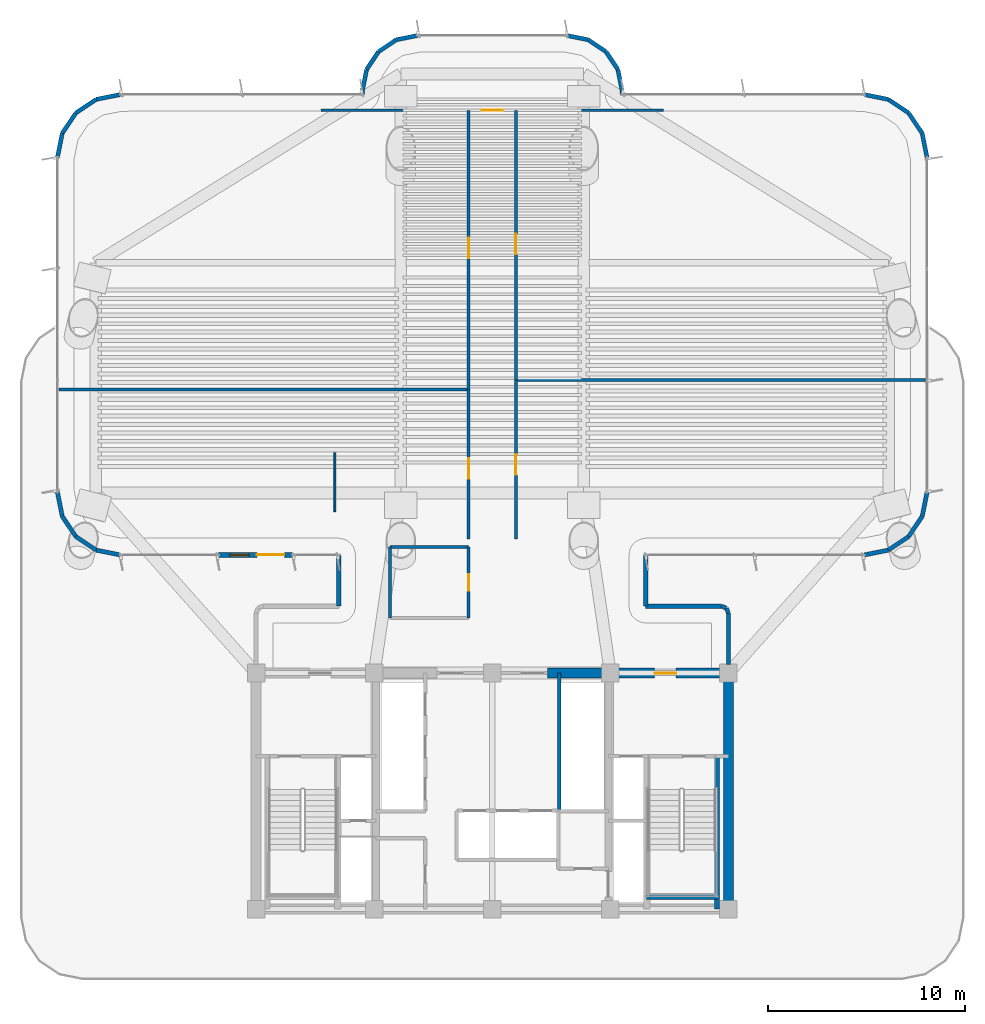
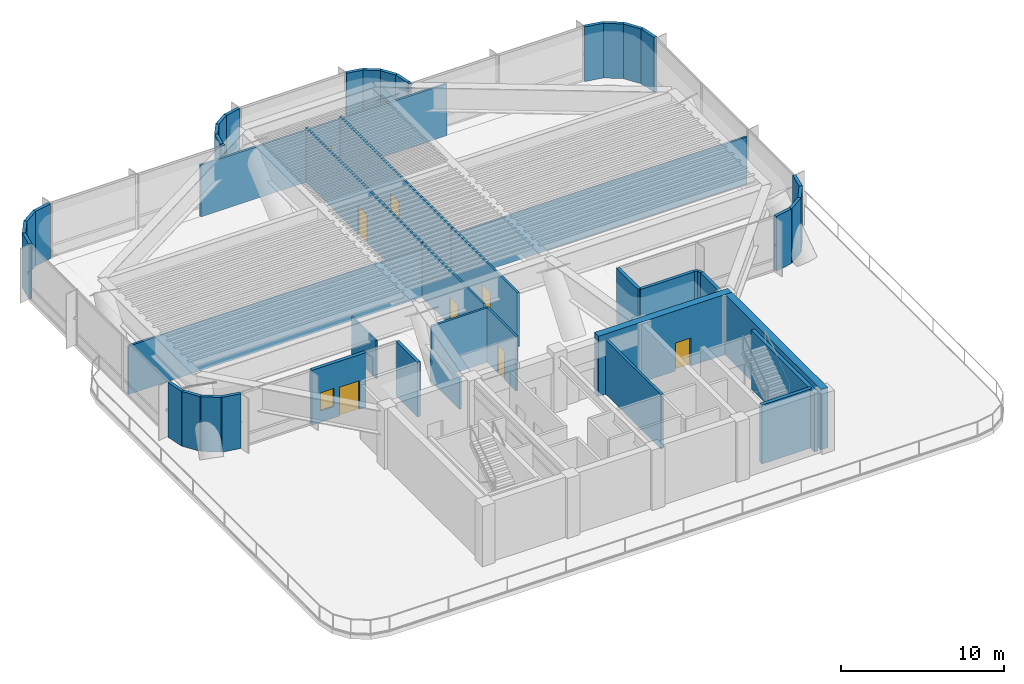
# One storey, part 9 of 14: 49 walls, 8 doors, 1 window, 9 openings.
"""IFC4 building model written with IfcOpenShell, lengths in metres."""

from ifc_helpers import new_model, si_unit, direction, frame, frame_2d, origin, origin_2d, place, context, subcontext, project, spatial, rectangle, extrude, source, transform, mapped, material, layer, layer_set, type_object, element, fill, save


model = new_model("IFC4")

# Units and contexts
model_context = context("Model", 3, precision=1e-05, world=origin(), true_north=direction((0.0, 1.0)))
body_context = subcontext(model_context, "Body", "Model", "MODEL_VIEW")
ifc_project = project(units=[si_unit("LENGTHUNIT", "METRE"), si_unit("AREAUNIT", "SQUARE_METRE"), si_unit("VOLUMEUNIT", "CUBIC_METRE"), si_unit("PLANEANGLEUNIT", "RADIAN"), si_unit("MASSUNIT", "GRAM", prefix="KILO")], contexts=[model_context])

# Site, building, storey
site_placement = place(None, origin())
site = spatial("IfcSite", under=ifc_project, at=site_placement, CompositionType="ELEMENT")
building_placement = place(site_placement, origin())
building = spatial("IfcBuilding", under=site, at=building_placement, Name="Brelvock Crest Care Tower", CompositionType="ELEMENT")
storey_placement = place(building_placement, frame((0.0, 0.0, 85.320068359375)))
storey = spatial("IfcBuildingStorey", under=building, at=storey_placement, Name="L21", CompositionType="ELEMENT", Elevation=85.320068359375)

# Wall
ifc_material_1 = material(Name="Concrete S80 (80 MPa)", Category="concrete")
ifc_layer_1 = layer(ifc_material_1, 0.5, Name="WL-CS2")
ifc_layer_set_1 = layer_set([ifc_layer_1], Name="Concrete S80 (80 MPa)")
wall_type_1 = type_object("IfcWallType", Name="WL-CS2", PredefinedType="SHEAR", material=ifc_layer_set_1)
wall_1_placement = place(storey_placement, frame((48.0, 18.0, 0.0), z_axis=(0.0, 0.0, 1.0), x_axis=(0.0, -1.0, 0.0)))
element("IfcWall", 1, at=wall_1_placement, inside=storey, type_object=wall_type_1, Name="L21 Core East Shear Wall", PredefinedType="SHEAR", context=body_context, shape_type="SweptSolid", body=[
    extrude(rectangle(XDim=12.0, YDim=0.5, at=frame_2d((6.0, 0.0))), origin(), (0.0, 0.0, 1.0), 4.5),
])

# Wall, opening, door
wall_2_placement = place(storey_placement, frame((38.800048828125, 18.0, 0.0), z_axis=(0.0, 0.0, 1.0), x_axis=(1.0, 0.0, 0.0)))
wall_2 = element("IfcWall", 2, at=wall_2_placement, inside=storey, type_object=wall_type_1, Name="L21 Core North-East Shear Wall", PredefinedType="SHEAR", context=body_context, shape_type="SweptSolid", body=[
    extrude(rectangle(XDim=9.449951171875, YDim=0.5, at=frame_2d((4.72509765625, 0.0))), origin(), (0.0, 0.0, 1.0), 4.5),
])
opening_1_placement = place(wall_2_placement, frame((5.449951171875, 0.0, 0.0)))
opening_1 = element("IfcOpeningElement", 3, at=opening_1_placement, cuts=wall_2, Name="Opening FD-1", PredefinedType="OPENING", context=body_context, shape_type="SweptSolid", body=[
    extrude(rectangle(XDim=1.10009765625, YDim=2.10009765625, at=origin_2d()), frame((0.550048828125, 0.260009765625, 1.050048828125), z_axis=(0.0, -1.0, 0.0), x_axis=(1.0, 0.0, 0.0)), (0.0, 0.0, 1.0), 0.52001953125),
])
ifc_material_2 = material(Name="Steel Grade 350", Category="steel")
door_type_1 = type_object("IfcDoorType", Name="DR-FFL1", OperationType="NOTDEFINED", PredefinedType="DOOR", material=ifc_material_2)
shared_shape_1 = source(origin(), body_context, "Body", "SweptSolid", [
    extrude(rectangle(XDim=1.10009765625, YDim=2.10009765625, at=origin_2d()), frame((0.550048828125, 0.02490234375, 1.050048828125), z_axis=(0.0, -1.0, 0.0), x_axis=(1.0, 0.0, 0.0)), (0.0, 0.0, 1.0), 0.050048828125),
])
door_1_placement = place(opening_1_placement, origin())
door_1 = element("IfcDoor", 4, at=door_1_placement, inside=storey, type_object=door_type_1, Name="L21 Firefighting Lobby FFL-2 Exit Door", OperationType="SINGLE_SWING_RIGHT", OverallHeight=2.10009765625, OverallWidth=1.10009765625, PredefinedType="DOOR", context=body_context, shape_type="MappedRepresentation", body=[
    mapped(shared_shape_1, transform((0.0, 0.0, 0.0), x_axis=(1.0, 0.0, 0.0), y_axis=(0.0, 1.0, 0.0), z_axis=(0.0, 0.0, 1.0), scale=1.0)),
])
fill(opening_1, door_1)

# Walls
ifc_layer_2 = layer(ifc_material_1, 0.25, Name="WL-CS6")
ifc_layer_set_2 = layer_set([ifc_layer_2], Name="Concrete S80 (80 MPa)")
wall_type_2 = type_object("IfcWallType", Name="WL-CS6", PredefinedType="SHEAR", material=ifc_layer_set_2)
wall_3_placement = place(storey_placement, frame((47.419921875, 6.0, 0.0), z_axis=(0.0, 0.0, 1.0), x_axis=(0.0, 1.0, 0.0)))
element("IfcWall", 5, at=wall_3_placement, inside=storey, type_object=wall_type_2, Name="L21 Core Stair ST-2 East Shear Wall", PredefinedType="SHEAR", context=body_context, shape_type="SweptSolid", body=[
    extrude(rectangle(XDim=7.780029296875, YDim=0.25, at=frame_2d((3.89013671875, 0.0))), origin(), (0.0, 0.0, 1.0), 4.411865234375),
])
wall_4_placement = place(storey_placement, frame((43.85009765625, 6.6201171875, 0.0), z_axis=(0.0, 0.0, 1.0), x_axis=(1.0, 0.0, 0.0)))
element("IfcWall", 6, at=wall_4_placement, inside=storey, type_object=wall_type_2, Name="L21 Core Stair ST-2 South Shear Wall", PredefinedType="SHEAR", context=body_context, shape_type="SweptSolid", body=[
    extrude(rectangle(XDim=3.56982421875, YDim=0.25, at=frame_2d((1.784912109375, 0.0))), origin(), (0.0, 0.0, 1.0), 4.411865234375),
])

# Wall, openings, door, window
ifc_material_3 = material(Name="Precast concrete N40 (40 MPa)", Category="concrete")
ifc_layer_3 = layer(ifc_material_3, 0.239990234375, Name="WL-EX1")
ifc_layer_set_3 = layer_set([ifc_layer_3], Name="Precast concrete N40 (40 MPa)")
wall_type_3 = type_object("IfcWallType", Name="WL-EX1", PredefinedType="SOLIDWALL", material=ifc_layer_set_3)
wall_5_placement = place(storey_placement, frame((25.882080078125, 24.0, 0.0), z_axis=(0.0, 0.0, 1.0), x_axis=(-1.0, 0.0, 0.0)))
wall_5 = element("IfcWall", 7, at=wall_5_placement, inside=storey, type_object=wall_type_3, Name="L21 Exterior Spandrel Wall WL-TER-L21-12", PredefinedType="SOLIDWALL", context=body_context, shape_type="SweptSolid", body=[
    extrude(rectangle(XDim=3.800048828125, YDim=0.239990234375, at=frame_2d((1.89990234375, 0.0))), origin(), (0.0, 0.0, 1.0), 4.092041015625),
])
opening_2_placement = place(wall_5_placement, frame((0.449951171875, 0.0, 0.0)))
opening_2 = element("IfcOpeningElement", 8, at=opening_2_placement, cuts=wall_5, Name="Opening TD-1", PredefinedType="OPENING", context=body_context, shape_type="SweptSolid", body=[
    extrude(rectangle(XDim=1.39990234375, YDim=2.14990234375, at=origin_2d()), frame((0.699951171875, 0.1298828125, 1.074951171875), z_axis=(0.0, -1.0, 0.0), x_axis=(1.0, 0.0, 0.0)), (0.0, 0.0, 1.0), 0.260009765625),
])
opening_3_placement = place(wall_5_placement, frame((2.25, 0.0, 0.85009765625)))
opening_3 = element("IfcOpeningElement", 9, at=opening_3_placement, cuts=wall_5, Name="Opening W-03", PredefinedType="OPENING", context=body_context, shape_type="SweptSolid", body=[
    extrude(rectangle(XDim=0.949951171875, YDim=1.35009765625, at=origin_2d()), frame((0.47509765625, 0.1298828125, 0.675048828125), z_axis=(0.0, -1.0, 0.0), x_axis=(1.0, 0.0, 0.0)), (0.0, 0.0, 1.0), 0.260009765625),
])
ifc_material_4 = material(Name="Dark Glass Double Glazed Low-E", Category="glass")
door_type_2 = type_object("IfcDoorType", Name="DR-TER1", OperationType="NOTDEFINED", PredefinedType="DOOR", material=ifc_material_4)
shared_shape_2 = source(origin(), body_context, "Body", "SweptSolid", [
    extrude(rectangle(XDim=1.39990234375, YDim=2.14990234375, at=origin_2d()), frame((0.699951171875, 0.02490234375, 1.074951171875), z_axis=(0.0, -1.0, 0.0), x_axis=(1.0, 0.0, 0.0)), (0.0, 0.0, 1.0), 0.050048828125),
])
door_2_placement = place(opening_2_placement, origin())
door_2 = element("IfcDoor", 10, at=door_2_placement, inside=storey, type_object=door_type_2, Name="L21 Setback Terrace Glazed Door", OperationType="SINGLE_SWING_LEFT", OverallHeight=2.14990234375, OverallWidth=1.39990234375, PredefinedType="DOOR", context=body_context, shape_type="MappedRepresentation", body=[
    mapped(shared_shape_2, transform((0.0, 0.0, 0.0), x_axis=(1.0, 0.0, 0.0), y_axis=(0.0, 1.0, 0.0), z_axis=(0.0, 0.0, 1.0), scale=1.0)),
])
fill(opening_2, door_2)
window_type = type_object("IfcWindowType", Name="WN-EX3", PartitioningType="SINGLE_PANEL", PredefinedType="WINDOW", material=ifc_material_4)
shared_shape_3 = source(origin(), body_context, "Body", "SweptSolid", [
    extrude(rectangle(XDim=0.949951171875, YDim=1.35009765625, at=origin_2d()), frame((0.47509765625, 0.030029296875, 0.675048828125), z_axis=(0.0, -1.0, 0.0), x_axis=(1.0, 0.0, 0.0)), (0.0, 0.0, 1.0), 0.06005859375),
])
window_placement = place(opening_3_placement, origin())
window = element("IfcWindow", 11, at=window_placement, inside=storey, type_object=window_type, Name="L21 Terrace Side Window", OverallHeight=1.35009765625, OverallWidth=0.949951171875, PartitioningType="SINGLE_PANEL", PredefinedType="WINDOW", context=body_context, shape_type="MappedRepresentation", body=[
    mapped(shared_shape_3, transform((0.0, 0.0, 0.0), x_axis=(1.0, 0.0, 0.0), y_axis=(0.0, 1.0, 0.0), z_axis=(0.0, 0.0, 1.0), scale=1.0)),
])
fill(opening_3, window)

# Walls
ifc_layer_4 = layer(ifc_material_3, 0.215087890625, Name="WL-EX2")
ifc_layer_set_4 = layer_set([ifc_layer_4], Name="Precast concrete N40 (40 MPa)")
wall_type_4 = type_object("IfcWallType", Name="WL-EX2", PredefinedType="SOLIDWALL", material=ifc_layer_set_4)
wall_6_placement = place(storey_placement, frame((47.8974609375, 21.297607421875, 0.0), z_axis=(0.0, 0.0, 1.0), x_axis=(0.382673670509, -0.923883575944, 0.0)))
element("IfcWall", 12, at=wall_6_placement, inside=storey, type_object=wall_type_4, Name="L21 Rounded Corner Wall 00", PredefinedType="SOLIDWALL", context=body_context, shape_type="SweptSolid", body=[
    extrude(rectangle(XDim=0.26806640625, YDim=0.215087890625, at=frame_2d((0.134033203125, 0.0))), origin(), (0.0, 0.0, 1.0), 4.092041015625),
])
wall_7_placement = place(storey_placement, frame((48.0, 21.050048828125, 0.0), z_axis=(0.0, 0.0, 1.0), x_axis=(0.0, -1.0, 0.0)))
element("IfcWall", 13, at=wall_7_placement, inside=storey, type_object=wall_type_4, Name="L21 Rounded Corner Wall 01", PredefinedType="SOLIDWALL", context=body_context, shape_type="SweptSolid", body=[
    extrude(rectangle(XDim=2.6201171875, YDim=0.215087890625, at=frame_2d((1.31005859375, 0.0))), origin(), (0.0, 0.0, 1.0), 4.092041015625),
])
wall_8_placement = place(storey_placement, frame((28.199951171875, 21.39990234375, 0.0), z_axis=(0.0, 0.0, 1.0), x_axis=(0.0, 1.0, 0.0)))
element("IfcWall", 14, at=wall_8_placement, inside=storey, type_object=wall_type_4, Name="L21 Rounded Corner Wall 11", PredefinedType="SOLIDWALL", context=body_context, shape_type="SweptSolid", body=[
    extrude(rectangle(XDim=2.60009765625, YDim=0.215087890625, at=frame_2d((1.300048828125, 0.0))), origin(), (0.0, 0.0, 1.0), 4.092041015625),
])
for number, where, z_axis, x_axis, name in (
    (15, (17.10009765625, 24.0, 0.0), (0.0, 0.0, 1.0), (-0.980775717779, 0.195138390419, 0.0), "L21 Rounded Corner Wall 13"),
    (16, (15.87548828125, 24.24365234375, 0.0), (0.0, 0.0, 1.0), (-0.831478245117, 0.555557312883, 0.0), "L21 Rounded Corner Wall 14"),
    (17, (14.83740234375, 24.937255859375, 0.0), (0.0, 0.0, 1.0), (-0.555692485475, 0.831387912822, 0.0), "L21 Rounded Corner Wall 15"),
    (18, (14.1435546875, 25.975341796875, 0.0), (0.0, 0.0, 1.0), (-0.195138390419, 0.980775717779, 0.0), "L21 Rounded Corner Wall 16"),
    (19, (13.89990234375, 44.199951171875, 0.0), (0.0, 0.0, 1.0), (0.195138390419, 0.980775717779, 0.0), "L21 Rounded Corner Wall 18"),
    (20, (14.1435546875, 45.424560546875, 0.0), (0.0, 0.0, 1.0), (0.555692485475, 0.831387912822, 0.0), "L21 Rounded Corner Wall 19"),
    (21, (14.83740234375, 46.462646484375, 0.0), (0.0, 0.0, 1.0), (0.831387912822, 0.555692485475, 0.0), "L21 Rounded Corner Wall 20"),
    (22, (15.87548828125, 47.156494140625, 0.0), (0.0, 0.0, 1.0), (0.980813122964, 0.194950295773, 0.0), "L21 Rounded Corner Wall 21"),
):
    element("IfcWall", number, at=place(storey_placement, frame(where, z_axis=z_axis, x_axis=x_axis)), inside=storey, type_object=wall_type_4, Name=name, PredefinedType="SOLIDWALL", context=body_context, shape_type="SweptSolid", body=[
        extrude(rectangle(XDim=1.24853515625, YDim=0.215087890625, at=frame_2d((0.624267578125, 0.0))), origin(), (0.0, 0.0, 1.0), 4.092041015625),
    ])
wall_9_placement = place(storey_placement, frame((29.39990234375, 47.39990234375, 0.0), z_axis=(0.0, 0.0, 1.0), x_axis=(0.0, 1.0, 0.0)))
element("IfcWall", 23, at=wall_9_placement, inside=storey, type_object=wall_type_4, Name="L21 Rounded Corner Wall 23", PredefinedType="SOLIDWALL", context=body_context, shape_type="SweptSolid", body=[
    extrude(rectangle(XDim=0.2001953125, YDim=0.215087890625, at=frame_2d((0.10009765625, 0.0))), origin(), (0.0, 0.0, 1.0), 4.092041015625),
])
wall_10_placement = place(storey_placement, frame((29.39990234375, 47.60009765625, 0.0), z_axis=(0.0, 0.0, 1.0), x_axis=(0.195127417394, 0.980777900945, 0.0)))
element("IfcWall", 24, at=wall_10_placement, inside=storey, type_object=wall_type_4, Name="L21 Rounded Corner Wall 24", PredefinedType="SOLIDWALL", context=body_context, shape_type="SweptSolid", body=[
    extrude(rectangle(XDim=1.09228515625, YDim=0.215087890625, at=frame_2d((0.546142578125, 0.0))), origin(), (0.0, 0.0, 1.0), 4.092041015625),
])
wall_11_placement = place(storey_placement, frame((29.613037109375, 48.67138671875, 0.0), z_axis=(0.0, 0.0, 1.0), x_axis=(0.555679482341, 0.831396603857, 0.0)))
element("IfcWall", 25, at=wall_11_placement, inside=storey, type_object=wall_type_4, Name="L21 Rounded Corner Wall 25", PredefinedType="SOLIDWALL", context=body_context, shape_type="SweptSolid", body=[
    extrude(rectangle(XDim=1.0927734375, YDim=0.215087890625, at=frame_2d((0.54638671875, 0.0))), origin(), (0.0, 0.0, 1.0), 4.092041015625),
])
for number, where, z_axis, x_axis, name in (
    (26, (30.22021484375, 49.579833984375, 0.0), (0.0, 0.0, 1.0), (0.831327592857, 0.555782721353, 0.0), "L21 Rounded Corner Wall 26"),
    (27, (31.12841796875, 50.18701171875, 0.0), (0.0, 0.0, 1.0), (0.980829143587, 0.194869677195, 0.0), "L21 Rounded Corner Wall 27"),
    (28, (39.800048828125, 50.39990234375, 0.0), (0.0, 0.0, 1.0), (0.980829143587, -0.194869677195, 0.0), "L21 Rounded Corner Wall 29"),
    (29, (40.87158203125, 50.18701171875, 0.0), (0.0, 0.0, 1.0), (0.831327592857, -0.555782721353, 0.0), "L21 Rounded Corner Wall 30"),
):
    element("IfcWall", number, at=place(storey_placement, frame(where, z_axis=z_axis, x_axis=x_axis)), inside=storey, type_object=wall_type_4, Name=name, PredefinedType="SOLIDWALL", context=body_context, shape_type="SweptSolid", body=[
        extrude(rectangle(XDim=1.092529296875, YDim=0.215087890625, at=frame_2d((0.54638671875, 0.0))), origin(), (0.0, 0.0, 1.0), 4.092041015625),
    ])
wall_12_placement = place(storey_placement, frame((41.77978515625, 49.579833984375, 0.0), z_axis=(0.0, 0.0, 1.0), x_axis=(0.555679482341, -0.831396603857, 0.0)))
element("IfcWall", 30, at=wall_12_placement, inside=storey, type_object=wall_type_4, Name="L21 Rounded Corner Wall 31", PredefinedType="SOLIDWALL", context=body_context, shape_type="SweptSolid", body=[
    extrude(rectangle(XDim=1.0927734375, YDim=0.215087890625, at=frame_2d((0.54638671875, 0.0))), origin(), (0.0, 0.0, 1.0), 4.092041015625),
])
wall_13_placement = place(storey_placement, frame((42.386962890625, 48.67138671875, 0.0), z_axis=(0.0, 0.0, 1.0), x_axis=(0.195127417394, -0.980777900945, 0.0)))
element("IfcWall", 31, at=wall_13_placement, inside=storey, type_object=wall_type_4, Name="L21 Rounded Corner Wall 32", PredefinedType="SOLIDWALL", context=body_context, shape_type="SweptSolid", body=[
    extrude(rectangle(XDim=1.09228515625, YDim=0.215087890625, at=frame_2d((0.546142578125, 0.0))), origin(), (0.0, 0.0, 1.0), 4.092041015625),
])
wall_14_placement = place(storey_placement, frame((42.60009765625, 47.60009765625, 0.0), z_axis=(0.0, 0.0, 1.0), x_axis=(0.0, -1.0, 0.0)))
element("IfcWall", 32, at=wall_14_placement, inside=storey, type_object=wall_type_4, Name="L21 Rounded Corner Wall 33", PredefinedType="SOLIDWALL", context=body_context, shape_type="SweptSolid", body=[
    extrude(rectangle(XDim=0.2001953125, YDim=0.215087890625, at=frame_2d((0.10009765625, 0.0))), origin(), (0.0, 0.0, 1.0), 4.092041015625),
])
for number, where, z_axis, x_axis, name in (
    (33, (54.89990234375, 47.39990234375, 0.0), (0.0, 0.0, 1.0), (0.980813122964, -0.194950295773, 0.0), "L21 Rounded Corner Wall 35"),
    (34, (56.12451171875, 47.156494140625, 0.0), (0.0, 0.0, 1.0), (0.831387912822, -0.555692485475, 0.0), "L21 Rounded Corner Wall 36"),
    (35, (57.16259765625, 46.462646484375, 0.0), (0.0, 0.0, 1.0), (0.555692485475, -0.831387912822, 0.0), "L21 Rounded Corner Wall 37"),
    (36, (57.8564453125, 45.424560546875, 0.0), (0.0, 0.0, 1.0), (0.195138390419, -0.980775717779, 0.0), "L21 Rounded Corner Wall 38"),
    (37, (58.10009765625, 27.199951171875, 0.0), (0.0, 0.0, 1.0), (-0.195138390419, -0.980775717779, 0.0), "L21 Rounded Corner Wall 40"),
    (38, (57.8564453125, 25.975341796875, 0.0), (0.0, 0.0, 1.0), (-0.555692485475, -0.831387912822, 0.0), "L21 Rounded Corner Wall 41"),
    (39, (57.16259765625, 24.937255859375, 0.0), (0.0, 0.0, 1.0), (-0.831478245117, -0.555557312883, 0.0), "L21 Rounded Corner Wall 42"),
    (40, (56.12451171875, 24.24365234375, 0.0), (0.0, 0.0, 1.0), (-0.980775717779, -0.195138390419, 0.0), "L21 Rounded Corner Wall 43"),
):
    element("IfcWall", number, at=place(storey_placement, frame(where, z_axis=z_axis, x_axis=x_axis)), inside=storey, type_object=wall_type_4, Name=name, PredefinedType="SOLIDWALL", context=body_context, shape_type="SweptSolid", body=[
        extrude(rectangle(XDim=1.24853515625, YDim=0.215087890625, at=frame_2d((0.624267578125, 0.0))), origin(), (0.0, 0.0, 1.0), 4.092041015625),
    ])
wall_15_placement = place(storey_placement, frame((43.800048828125, 24.0, 0.0), z_axis=(0.0, 0.0, 1.0), x_axis=(0.0, -1.0, 0.0)))
element("IfcWall", 41, at=wall_15_placement, inside=storey, type_object=wall_type_4, Name="L21 Rounded Corner Wall 45", PredefinedType="SOLIDWALL", context=body_context, shape_type="SweptSolid", body=[
    extrude(rectangle(XDim=2.60009765625, YDim=0.215087890625, at=frame_2d((1.300048828125, 0.0))), origin(), (0.0, 0.0, 1.0), 4.092041015625),
])
wall_16_placement = place(storey_placement, frame((43.800048828125, 21.39990234375, 0.0), z_axis=(0.0, 0.0, 1.0), x_axis=(1.0, 0.0, 0.0)))
element("IfcWall", 42, at=wall_16_placement, inside=storey, type_object=wall_type_4, Name="L21 Rounded Corner Wall 46", PredefinedType="SOLIDWALL", context=body_context, shape_type="SweptSolid", body=[
    extrude(rectangle(XDim=3.849853515625, YDim=0.215087890625, at=frame_2d((1.9248046875, 0.0))), origin(), (0.0, 0.0, 1.0), 4.092041015625),
])
wall_17_placement = place(storey_placement, frame((47.64990234375, 21.39990234375, 0.0), z_axis=(0.0, 0.0, 1.0), x_axis=(0.924205486139, -0.381895560841, 0.0)))
element("IfcWall", 43, at=wall_17_placement, inside=storey, type_object=wall_type_4, Name="L21 Rounded Corner Wall 47", PredefinedType="SOLIDWALL", context=body_context, shape_type="SweptSolid", body=[
    extrude(rectangle(XDim=0.267822265625, YDim=0.215087890625, at=frame_2d((0.1337890625, 0.0))), origin(), (0.0, 0.0, 1.0), 4.092041015625),
])
ifc_material_5 = material(Name="Masonry Blockwork Acoustic Partition", Category="masonry")
ifc_layer_5 = layer(ifc_material_5, 0.14990234375, Name="WL-INT1")
ifc_layer_set_5 = layer_set([ifc_layer_5], Name="Masonry Blockwork Acoustic Partition")
wall_type_5 = type_object("IfcWallType", Name="WL-INT1", PredefinedType="PARTITIONING", material=ifc_layer_set_5)
wall_18_placement = place(storey_placement, frame((13.97998046875, 32.39990234375, 0.0), z_axis=(0.0, 0.0, 1.0), x_axis=(1.0, 0.0, 0.0)))
element("IfcWall", 44, at=wall_18_placement, inside=storey, type_object=wall_type_5, Name="L21 Interior Wall WL-BX-L21-BTR-S", PredefinedType="PARTITIONING", context=body_context, shape_type="SweptSolid", body=[
    extrude(rectangle(XDim=20.820068359375, YDim=0.14990234375, at=frame_2d((10.41015625, 0.0))), origin(), (0.0, 0.0, 1.0), 3.616943359375),
])
wall_19_placement = place(storey_placement, frame((37.199951171875, 32.89990234375, 0.0), z_axis=(0.0, 0.0, 1.0), x_axis=(1.0, 0.0, 0.0)))
element("IfcWall", 45, at=wall_19_placement, inside=storey, type_object=wall_type_5, Name="L21 Interior Wall WL-BX-L21-PHR-S", PredefinedType="PARTITIONING", context=body_context, shape_type="SweptSolid", body=[
    extrude(rectangle(XDim=20.820068359375, YDim=0.14990234375, at=frame_2d((10.41015625, 0.0))), origin(), (0.0, 0.0, 1.0), 3.5439453125),
])

# Wall, opening, door
wall_20_placement = place(storey_placement, frame((27.300048828125, 46.60009765625, 0.0), z_axis=(0.0, 0.0, 1.0), x_axis=(1.0, 0.0, 0.0)))
wall_20 = element("IfcWall", 46, at=wall_20_placement, inside=storey, type_object=wall_type_5, Name="L21 Interior Wall WL-RM-L21-NHB", PredefinedType="PARTITIONING", context=body_context, shape_type="SweptSolid", body=[
    extrude(rectangle(XDim=17.39990234375, YDim=0.14990234375, at=frame_2d((8.699951171875, 0.0))), origin(), (0.0, 0.0, 1.0), 3.869873046875),
])
opening_4_placement = place(wall_20_placement, frame((8.175048828125, 0.0, 0.0)))
opening_4 = element("IfcOpeningElement", 47, at=opening_4_placement, cuts=wall_20, Name="Opening CLD-1", PredefinedType="OPENING", context=body_context, shape_type="SweptSolid", body=[
    extrude(rectangle(XDim=1.050048828125, YDim=2.10009765625, at=origin_2d()), frame((0.52490234375, 0.0849609375, 1.050048828125), z_axis=(0.0, -1.0, 0.0), x_axis=(1.0, 0.0, 0.0)), (0.0, 0.0, 1.0), 0.169921875),
])
ifc_material_6 = material(Name="Engineered Hardwood Timber", Category="wood")
door_type_3 = type_object("IfcDoorType", Name="DR-CLN1", OperationType="NOTDEFINED", PredefinedType="DOOR", material=ifc_material_6)
shared_shape_4 = source(origin(), body_context, "Body", "SweptSolid", [
    extrude(rectangle(XDim=1.050048828125, YDim=2.10009765625, at=origin_2d()), frame((0.52490234375, 0.02490234375, 1.050048828125), z_axis=(0.0, -1.0, 0.0), x_axis=(1.0, 0.0, 0.0)), (0.0, 0.0, 1.0), 0.050048828125),
])
door_3_placement = place(opening_4_placement, origin())
door_3 = element("IfcDoor", 48, at=door_3_placement, inside=storey, type_object=door_type_3, Name="L21 Harbour North Sunroom Door NHB", OperationType="SINGLE_SWING_LEFT", OverallHeight=2.10009765625, OverallWidth=1.050048828125, PredefinedType="DOOR", context=body_context, shape_type="MappedRepresentation", body=[
    mapped(shared_shape_4, transform((0.0, 0.0, 0.0), x_axis=(1.0, 0.0, 0.0), y_axis=(0.0, 1.0, 0.0), z_axis=(0.0, 0.0, 1.0), scale=1.0)),
])
fill(opening_4, door_3)

wall_21_placement = place(storey_placement, frame((34.800048828125, 24.800048828125, 0.0), z_axis=(0.0, 0.0, 1.0), x_axis=(0.0, 1.0, 0.0)))
wall_21 = element("IfcWall", 49, at=wall_21_placement, inside=storey, type_object=wall_type_5, Name="L21 Interior Wall WL-RM-L21-SLG", PredefinedType="PARTITIONING", context=body_context, shape_type="SweptSolid", body=[
    extrude(rectangle(XDim=7.599853515625, YDim=0.14990234375, at=frame_2d((3.7998046875, 0.0))), origin(), (0.0, 0.0, 1.0), 4.06201171875),
])
opening_5_placement = place(wall_21_placement, frame((3.074951171875, 0.0, 0.0)))
opening_5 = element("IfcOpeningElement", 50, at=opening_5_placement, cuts=wall_21, Name="Opening CLD-1", PredefinedType="OPENING", context=body_context, shape_type="SweptSolid", body=[
    extrude(rectangle(XDim=1.050048828125, YDim=2.10009765625, at=origin_2d()), frame((0.52490234375, 0.0849609375, 1.050048828125), z_axis=(0.0, -1.0, 0.0), x_axis=(1.0, 0.0, 0.0)), (0.0, 0.0, 1.0), 0.169921875),
])
door_4_placement = place(opening_5_placement, origin())
door_4 = element("IfcDoor", 51, at=door_4_placement, inside=storey, type_object=door_type_3, Name="L21 Low-to-Mid Sky Transfer Lounge Door SLG", OperationType="SINGLE_SWING_LEFT", OverallHeight=2.10009765625, OverallWidth=1.050048828125, PredefinedType="DOOR", context=body_context, shape_type="MappedRepresentation", body=[
    mapped(shared_shape_4, transform((0.0, 0.0, 0.0), x_axis=(1.0, 0.0, 0.0), y_axis=(0.0, 1.0, 0.0), z_axis=(0.0, 0.0, 1.0), scale=1.0)),
])
fill(opening_5, door_4)

wall_22_placement = place(storey_placement, frame((34.800048828125, 32.39990234375, 0.0), z_axis=(0.0, 0.0, 1.0), x_axis=(0.0, 1.0, 0.0)))
wall_22 = element("IfcWall", 52, at=wall_22_placement, inside=storey, type_object=wall_type_5, Name="L21 Interior Wall WL-RM-L21-BTR", PredefinedType="PARTITIONING", context=body_context, shape_type="SweptSolid", body=[
    extrude(rectangle(XDim=14.2001953125, YDim=0.14990234375, at=frame_2d((7.10009765625, 0.0))), origin(), (0.0, 0.0, 1.0), 4.06201171875),
])
opening_6_placement = place(wall_22_placement, frame((6.675048828125, 0.0, 0.0)))
opening_6 = element("IfcOpeningElement", 53, at=opening_6_placement, cuts=wall_22, Name="Opening CLD-1", PredefinedType="OPENING", context=body_context, shape_type="SweptSolid", body=[
    extrude(rectangle(XDim=1.050048828125, YDim=2.10009765625, at=origin_2d()), frame((0.52490234375, 0.0849609375, 1.050048828125), z_axis=(0.0, -1.0, 0.0), x_axis=(1.0, 0.0, 0.0)), (0.0, 0.0, 1.0), 0.169921875),
])
door_5_placement = place(opening_6_placement, origin())
door_5 = element("IfcDoor", 54, at=door_5_placement, inside=storey, type_object=door_type_3, Name="L21 Botanical Tea Conservatory Door BTR", OperationType="SINGLE_SWING_LEFT", OverallHeight=2.10009765625, OverallWidth=1.050048828125, PredefinedType="DOOR", context=body_context, shape_type="MappedRepresentation", body=[
    mapped(shared_shape_4, transform((0.0, 0.0, 0.0), x_axis=(1.0, 0.0, 0.0), y_axis=(0.0, 1.0, 0.0), z_axis=(0.0, 0.0, 1.0), scale=1.0)),
])
fill(opening_6, door_5)

wall_23_placement = place(storey_placement, frame((37.199951171875, 24.800048828125, 0.0), z_axis=(0.0, 0.0, 1.0), x_axis=(0.0, 1.0, 0.0)))
wall_23 = element("IfcWall", 55, at=wall_23_placement, inside=storey, type_object=wall_type_5, Name="L21 Interior Wall WL-RM-L21-WCL", PredefinedType="PARTITIONING", context=body_context, shape_type="SweptSolid", body=[
    extrude(rectangle(XDim=8.099853515625, YDim=0.14990234375, at=frame_2d((4.0498046875, 0.0))), origin(), (0.0, 0.0, 1.0), 4.06201171875),
])
opening_7_placement = place(wall_23_placement, frame((3.27490234375, 0.0, 0.0)))
opening_7 = element("IfcOpeningElement", 56, at=opening_7_placement, cuts=wall_23, Name="Opening CLD-1", PredefinedType="OPENING", context=body_context, shape_type="SweptSolid", body=[
    extrude(rectangle(XDim=1.050048828125, YDim=2.10009765625, at=origin_2d()), frame((0.52490234375, 0.0849609375, 1.050048828125), z_axis=(0.0, -1.0, 0.0), x_axis=(1.0, 0.0, 0.0)), (0.0, 0.0, 1.0), 0.169921875),
])
door_6_placement = place(opening_7_placement, origin())
door_6 = element("IfcDoor", 57, at=door_6_placement, inside=storey, type_object=door_type_3, Name="L21 Geriatric Wellness Clinic Door WCL", OperationType="SINGLE_SWING_LEFT", OverallHeight=2.10009765625, OverallWidth=1.050048828125, PredefinedType="DOOR", context=body_context, shape_type="MappedRepresentation", body=[
    mapped(shared_shape_4, transform((0.0, 0.0, 0.0), x_axis=(1.0, 0.0, 0.0), y_axis=(0.0, 1.0, 0.0), z_axis=(0.0, 0.0, 1.0), scale=1.0)),
])
fill(opening_7, door_6)

wall_24_placement = place(storey_placement, frame((37.199951171875, 32.89990234375, 0.0), z_axis=(0.0, 0.0, 1.0), x_axis=(0.0, 1.0, 0.0)))
wall_24 = element("IfcWall", 58, at=wall_24_placement, inside=storey, type_object=wall_type_5, Name="L21 Interior Wall WL-RM-L21-PHR", PredefinedType="PARTITIONING", context=body_context, shape_type="SweptSolid", body=[
    extrude(rectangle(XDim=13.7001953125, YDim=0.14990234375, at=frame_2d((6.85009765625, 0.0))), origin(), (0.0, 0.0, 1.0), 4.06201171875),
])
opening_8_placement = place(wall_24_placement, frame((6.375, 0.0, 0.0)))
opening_8 = element("IfcOpeningElement", 59, at=opening_8_placement, cuts=wall_24, Name="Opening CLD-1", PredefinedType="OPENING", context=body_context, shape_type="SweptSolid", body=[
    extrude(rectangle(XDim=1.050048828125, YDim=2.10009765625, at=origin_2d()), frame((0.52490234375, 0.0849609375, 1.050048828125), z_axis=(0.0, -1.0, 0.0), x_axis=(1.0, 0.0, 0.0)), (0.0, 0.0, 1.0), 0.169921875),
])
door_7_placement = place(opening_8_placement, origin())
door_7 = element("IfcDoor", 60, at=door_7_placement, inside=storey, type_object=door_type_3, Name="L21 Sky Satellite Pharmacy Door PHR", OperationType="SINGLE_SWING_LEFT", OverallHeight=2.10009765625, OverallWidth=1.050048828125, PredefinedType="DOOR", context=body_context, shape_type="MappedRepresentation", body=[
    mapped(shared_shape_4, transform((0.0, 0.0, 0.0), x_axis=(1.0, 0.0, 0.0), y_axis=(0.0, 1.0, 0.0), z_axis=(0.0, 0.0, 1.0), scale=1.0)),
])
fill(opening_8, door_7)

# Walls
ifc_material_7 = material(Name="Aluminium 6063-T6", Category="aluminium")
ifc_layer_6 = layer(ifc_material_7, 0.10009765625, Name="WL-MV1")
ifc_layer_set_6 = layer_set([ifc_layer_6], Name="Aluminium 6063-T6")
wall_type_6 = type_object("IfcWallType", Name="WL-MV1", PredefinedType="MOVABLE", material=ifc_layer_set_6)
wall_25_placement = place(storey_placement, frame((28.0, 26.199951171875, 0.0), z_axis=(0.0, 0.0, 1.0), x_axis=(0.0, 1.0, 0.0)))
element("IfcWall", 61, at=wall_25_placement, inside=storey, type_object=wall_type_6, Name="L21 Operable Acoustic Partition", PredefinedType="MOVABLE", context=body_context, shape_type="SweptSolid", body=[
    extrude(rectangle(XDim=3.0, YDim=0.10009765625, at=frame_2d((1.5, 0.0))), origin(), (0.0, 0.0, 1.0), 2.849853515625),
])
ifc_material_8 = material(Name="Gypsum Plasterboard Partition", Category="gypsum")
ifc_layer_7 = layer(ifc_material_8, 0.159912109375, Name="WL-PLM1")
ifc_layer_set_7 = layer_set([ifc_layer_7], Name="Gypsum Plasterboard Partition")
wall_type_7 = type_object("IfcWallType", Name="WL-PLM1", PredefinedType="PLUMBINGWALL", material=ifc_layer_set_7)
wall_26_placement = place(storey_placement, frame((30.800048828125, 24.39990234375, 0.0), z_axis=(0.0, 0.0, 1.0), x_axis=(1.0, 0.0, 0.0)))
element("IfcWall", 62, at=wall_26_placement, inside=storey, type_object=wall_type_7, Name="L21 Interior Wall WL-BX-L21-AWC-N", PredefinedType="PLUMBINGWALL", context=body_context, shape_type="SweptSolid", body=[
    extrude(rectangle(XDim=4.0, YDim=0.159912109375, at=frame_2d((2.0, 0.0))), origin(), (0.0, 0.0, 1.0), 4.06201171875),
])
wall_27_placement = place(storey_placement, frame((30.800048828125, 20.800048828125, 0.0), z_axis=(0.0, 0.0, 1.0), x_axis=(0.0, 1.0, 0.0)))
element("IfcWall", 63, at=wall_27_placement, inside=storey, type_object=wall_type_7, Name="L21 Interior Wall WL-BX-L21-AWC-W", PredefinedType="PLUMBINGWALL", context=body_context, shape_type="SweptSolid", body=[
    extrude(rectangle(XDim=3.599853515625, YDim=0.159912109375, at=frame_2d((1.7998046875, 0.0))), origin(), (0.0, 0.0, 1.0), 2.27685546875),
])

# Wall, opening, door
wall_28_placement = place(storey_placement, frame((34.800048828125, 20.800048828125, 0.0), z_axis=(0.0, 0.0, 1.0), x_axis=(0.0, 1.0, 0.0)))
wall_28 = element("IfcWall", 64, at=wall_28_placement, inside=storey, type_object=wall_type_7, Name="L21 Interior Wall WL-RM-L21-AWC", PredefinedType="PLUMBINGWALL", context=body_context, shape_type="SweptSolid", body=[
    extrude(rectangle(XDim=3.599853515625, YDim=0.159912109375, at=frame_2d((1.7998046875, 0.0))), origin(), (0.0, 0.0, 1.0), 4.06201171875),
])
opening_9_placement = place(wall_28_placement, frame((1.3701171875, 0.0, 0.0)))
opening_9 = element("IfcOpeningElement", 65, at=opening_9_placement, cuts=wall_28, Name="Opening WD-1", PredefinedType="OPENING", context=body_context, shape_type="SweptSolid", body=[
    extrude(rectangle(XDim=0.860107421875, YDim=2.10009765625, at=origin_2d()), frame((0.43017578125, 0.08984375, 1.050048828125), z_axis=(0.0, -1.0, 0.0), x_axis=(1.0, 0.0, 0.0)), (0.0, 0.0, 1.0), 0.179931640625),
])
door_type_4 = type_object("IfcDoorType", Name="DR-WC1", OperationType="NOTDEFINED", PredefinedType="DOOR", material=ifc_material_6)
shared_shape_5 = source(origin(), body_context, "Body", "SweptSolid", [
    extrude(rectangle(XDim=0.860107421875, YDim=2.10009765625, at=origin_2d()), frame((0.43017578125, 0.02490234375, 1.050048828125), z_axis=(0.0, -1.0, 0.0), x_axis=(1.0, 0.0, 0.0)), (0.0, 0.0, 1.0), 0.050048828125),
])
door_8_placement = place(opening_9_placement, origin())
door_8 = element("IfcDoor", 66, at=door_8_placement, inside=storey, type_object=door_type_4, Name="L21 Sky Lobby Accessible WC Door AWC", OperationType="SINGLE_SWING_LEFT", OverallHeight=2.10009765625, OverallWidth=0.860107421875, PredefinedType="DOOR", context=body_context, shape_type="MappedRepresentation", body=[
    mapped(shared_shape_5, transform((0.0, 0.0, 0.0), x_axis=(1.0, 0.0, 0.0), y_axis=(0.0, 1.0, 0.0), z_axis=(0.0, 0.0, 1.0), scale=1.0)),
])
fill(opening_9, door_8)

# Wall
ifc_layer_8 = layer(ifc_material_5, 0.179931640625, Name="WL-SHF1")
ifc_layer_set_8 = layer_set([ifc_layer_8], Name="Masonry Blockwork Acoustic Partition")
wall_type_8 = type_object("IfcWallType", Name="WL-SHF1", PredefinedType="PARTITIONING", material=ifc_layer_set_8)
wall_29_placement = place(storey_placement, frame((39.39990234375, 11.0, 0.0), z_axis=(0.0, 0.0, 1.0), x_axis=(0.0, 1.0, 0.0)))
element("IfcWall", 67, at=wall_29_placement, inside=storey, type_object=wall_type_8, Name="L21 Interior Wall WL-PLH-SHF-L21", PredefinedType="PARTITIONING", context=body_context, shape_type="SweptSolid", body=[
    extrude(rectangle(XDim=7.0, YDim=0.179931640625, at=frame_2d((3.5, 0.0))), origin(), (0.0, 0.0, 1.0), 4.06201171875),
])

save(model, "model.ifc")
